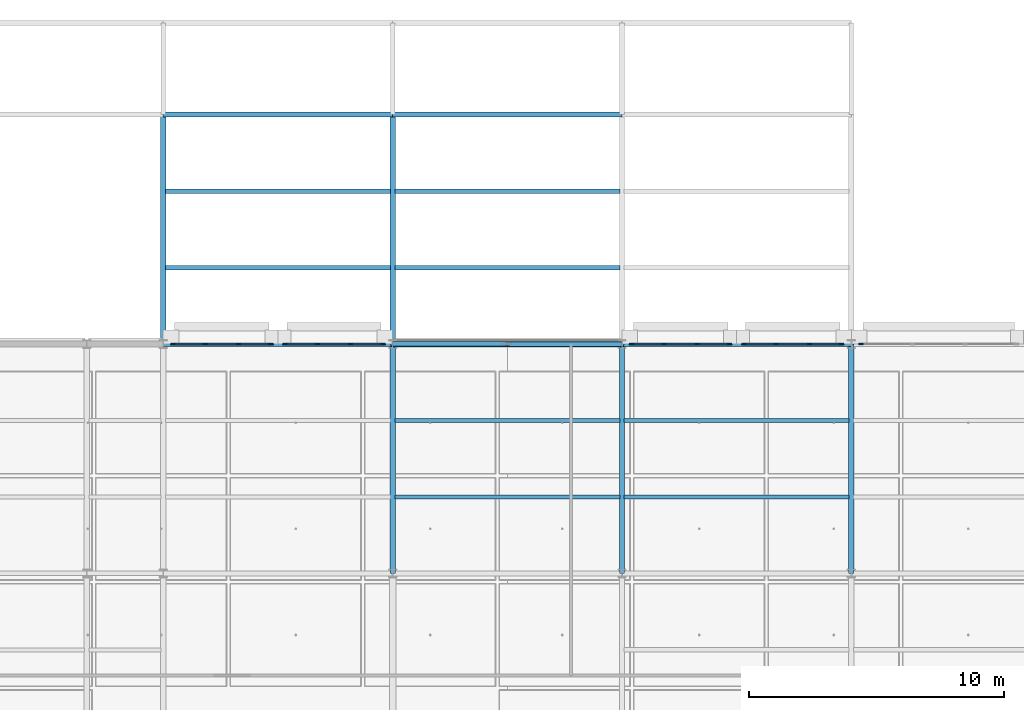
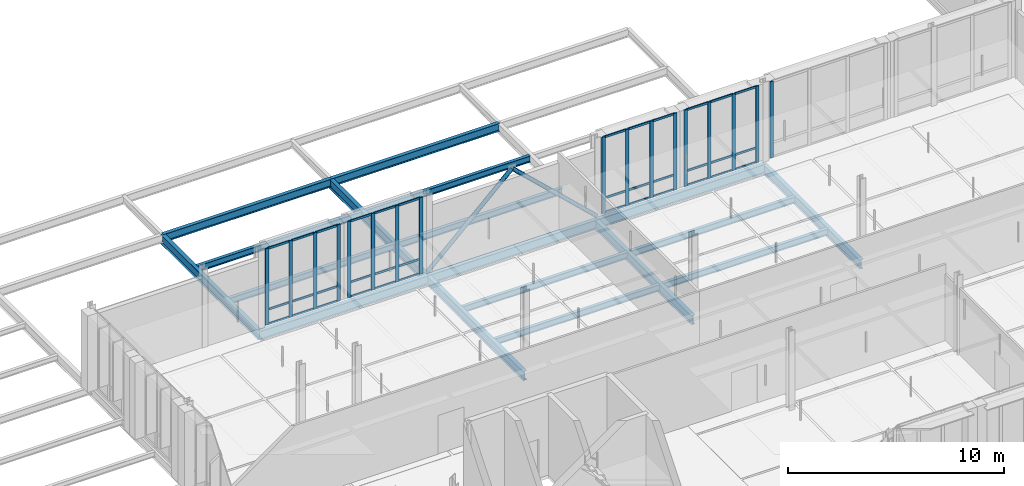
# One storey, part 56 of 140: 55 members, 18 beams, 5 elements without a shape of their own.
"""IFC4 building model written with IfcOpenShell, lengths in metres."""

from ifc_helpers import new_model, si_unit, direction, frame, origin, origin_2d, place, context, subcontext, project, spatial, rectangle, hollow_circle, i_section, extrude, material, material_profile, profile_set, type_object, element, aggregate, save


model = new_model("IFC4")

# Units and contexts
model_context = context("Model", 3, precision=1e-05, world=origin(), true_north=direction((0.0, 1.0)))
body_context = subcontext(model_context, "Body", "Model", "MODEL_VIEW")
ifc_project = project(units=[si_unit("LENGTHUNIT", "METRE"), si_unit("AREAUNIT", "SQUARE_METRE"), si_unit("VOLUMEUNIT", "CUBIC_METRE"), si_unit("PLANEANGLEUNIT", "RADIAN"), si_unit("MASSUNIT", "GRAM", prefix="KILO"), si_unit("THERMODYNAMICTEMPERATUREUNIT", "KELVIN"), si_unit("POWERUNIT", "WATT")], contexts=[model_context])

# Site, building, storey
site_placement = place(None, origin())
site = spatial("IfcSite", under=ifc_project, at=site_placement, CompositionType="ELEMENT")
building_placement = place(site_placement, origin())
building = spatial("IfcBuilding", under=site, at=building_placement, Name="Tallowbark Science Centre", CompositionType="ELEMENT")
storey_placement = place(building_placement, frame((0.0, 0.0, 9.89990234375)))
storey = spatial("IfcBuildingStorey", under=building, at=storey_placement, Name="L02", CompositionType="ELEMENT", Elevation=9.89990234375)

# Beams
ifc_material_1 = material(Name="Structural Steel Grade 300PLUS (300 MPa)", Category="steel")
ifc_material_profile_1 = material_profile(ifc_material_1, i_section(OverallWidth=0.208984375, OverallDepth=0.532958984375, WebThickness=0.01025390625, FlangeThickness=0.015625, FilletRadius=0.013916015625, at=origin_2d()), Name="530UB92.4")
ifc_profile_set_1 = profile_set([ifc_material_profile_1], Name="Structural Steel Grade 300PLUS (300 MPa)")
beam_type_1 = type_object("IfcBeamType", Name="BM-UB530A", PredefinedType="BEAM", material=ifc_profile_set_1)
for number, where, z_axis, x_axis, name in (
    (1, (72.0, 99.0, -0.4462890625), (1.0, 0.0, 0.0), (0.0, 1.0, 0.0), "Primary Girder GRDX-L02-720-810-990"),
    (2, (81.0, 99.0, -0.4462890625), (1.0, 0.0, 0.0), (0.0, 1.0, 0.0), "Primary Girder GRDX-L02-810-900-990"),
    (3, (90.0, 99.0, -0.4462890625), (1.0, 0.0, 0.0), (0.0, 1.0, 0.0), "Primary Girder GRDX-L02-900-990-990"),
):
    element("IfcBeam", number, at=place(storey_placement, frame(where, z_axis=z_axis, x_axis=x_axis)), inside=storey, type_object=beam_type_1, Name=name, PredefinedType="BEAM", context=body_context, shape_type="SweptSolid", body=[
        extrude(i_section(OverallWidth=0.208984375, OverallDepth=0.532958984375, WebThickness=0.01025390625, FlangeThickness=0.015625, FilletRadius=0.013916015625, at=origin_2d()), origin(), (0.0, 0.0, 1.0), 9.0),
    ])
ifc_material_profile_2 = material_profile(ifc_material_1, i_section(OverallWidth=0.208740234375, OverallDepth=0.5283203125, WebThickness=0.009521484375, FlangeThickness=0.01318359375, FilletRadius=0.013916015625, at=origin_2d()), Name="530UB82.0")
ifc_profile_set_2 = profile_set([ifc_material_profile_2], Name="Structural Steel Grade 300PLUS (300 MPa)")
beam_type_2 = type_object("IfcBeamType", Name="BM-UB530B", PredefinedType="BEAM", material=ifc_profile_set_2)
for number, where, z_axis, x_axis, name in (
    (4, (72.0, 99.0, -0.444091796875), (0.0, 1.0, 0.0), (-1.0, 0.0, 0.0), "Primary Girder GRDY-L02-720-990-1080"),
    (5, (81.0, 90.0, -0.444091796875), (0.0, 1.0, 0.0), (-1.0, 0.0, 0.0), "Primary Girder GRDY-L02-810-900-990"),
    (6, (81.0, 99.0, -0.444091796875), (0.0, 1.0, 0.0), (-1.0, 0.0, 0.0), "Primary Girder GRDY-L02-810-990-1080"),
    (7, (90.0, 90.0, -0.444091796875), (0.0, 1.0, 0.0), (-1.0, 0.0, 0.0), "Primary Girder GRDY-L02-900-900-990"),
    (8, (99.0, 90.0, -0.444091796875), (0.0, 1.0, 0.0), (-1.0, 0.0, 0.0), "Primary Girder GRDY-L02-990-900-990"),
):
    element("IfcBeam", number, at=place(storey_placement, frame(where, z_axis=z_axis, x_axis=x_axis)), inside=storey, type_object=beam_type_2, Name=name, PredefinedType="BEAM", context=body_context, shape_type="SweptSolid", body=[
        extrude(i_section(OverallWidth=0.208740234375, OverallDepth=0.5283203125, WebThickness=0.009521484375, FlangeThickness=0.01318359375, FilletRadius=0.013916015625, at=origin_2d()), origin(), (0.0, 0.0, 1.0), 9.0),
    ])

# Members
ifc_material_2 = material(Name="Structural Steel Grade C350L0 (350 MPa)", Category="steel")
ifc_material_profile_3 = material_profile(ifc_material_2, hollow_circle(Radius=0.109619140625, WallThickness=0.00830078125, at=origin_2d()), Name="219.1x8.2CHS")
ifc_profile_set_3 = profile_set([ifc_material_profile_3], Name="Structural Steel Grade C350L0 (350 MPa)")
member_type_1 = type_object("IfcMemberType", Name="CBF-219CHS", PredefinedType="BRACE", material=ifc_profile_set_3)
for number, where, z_axis, x_axis, name in (
    (9, (81.0, 99.0, 0.0), (0.72701315255, 0.0, 0.686623532964), (0.0, 1.0, 0.0), "Concentric Chevron Brace CBF-LAB-N1 L02 Left"),
    (10, (90.0, 99.0, 0.0), (-0.72701315255, 0.0, 0.686623532964), (0.0, -1.0, 0.0), "Concentric Chevron Brace CBF-LAB-N1 L02 Right"),
):
    element("IfcMember", number, at=place(storey_placement, frame(where, z_axis=z_axis, x_axis=x_axis)), inside=storey, type_object=member_type_1, Name=name, PredefinedType="BRACE", context=body_context, shape_type="SweptSolid", body=[
        extrude(hollow_circle(Radius=0.109619140625, WallThickness=0.00830078125, at=origin_2d()), origin(), (0.0, 0.0, 1.0), 6.189697265625),
    ])

# Curtain wall, members
ifc_material_3 = material(Name="Unitised Thermally Broken Aluminium and Low-E Double Glazing", Category="aluminium")
curtain_wall_type = type_object("IfcCurtainWallType", Name="CW-SYS-FACADE", PredefinedType="NOTDEFINED", material=ifc_material_3)
curtain_wall_1_placement = place(storey_placement, origin())
curtain_wall_1 = element("IfcCurtainWall", 11, at=curtain_wall_1_placement, inside=storey, type_object=curtain_wall_type, Name="Unitised Curtain Wall LAB-N-72A CW-L02-070", PredefinedType="NOTDEFINED")
ifc_material_4 = material(Name="Anodised Architectural Aluminium Alloy 6063-T6", Category="aluminium")
ifc_material_profile_4 = material_profile(ifc_material_4, rectangle(XDim=0.06494140625, YDim=0.179931640625, at=origin_2d()), Name="ALU65x180")
ifc_profile_set_4 = profile_set([ifc_material_profile_4], Name="Anodised Architectural Aluminium Alloy 6063-T6")
member_type_2 = type_object("IfcMemberType", Name="CWM-MUL-220", PredefinedType="MULLION", material=ifc_profile_set_4)
member_1_placement = place(storey_placement, frame((80.617431640625, 99.0, 0.0), z_axis=(0.0, 0.0, 1.0), x_axis=(0.0, -1.0, 0.0)))
member_1 = element("IfcMember", 12, at=member_1_placement, type_object=member_type_2, Name="CW-01 mullion 1", PredefinedType="MULLION", context=body_context, shape_type="SweptSolid", body=[
    extrude(rectangle(XDim=0.06494140625, YDim=0.179931640625, at=origin_2d()), origin(), (0.0, 0.0, 1.0), 4.320068359375),
])
member_2_placement = place(storey_placement, frame((79.35009765625, 99.0, 0.0), z_axis=(0.0, 0.0, 1.0), x_axis=(0.0, -1.0, 0.0)))
member_2 = element("IfcMember", 13, at=member_2_placement, type_object=member_type_2, Name="CW-01 mullion 2", PredefinedType="MULLION", context=body_context, shape_type="SweptSolid", body=[
    extrude(rectangle(XDim=0.06494140625, YDim=0.179931640625, at=origin_2d()), origin(), (0.0, 0.0, 1.0), 4.320068359375),
])
member_3_placement = place(storey_placement, frame((78.050048828125, 99.0, 0.0), z_axis=(0.0, 0.0, 1.0), x_axis=(0.0, -1.0, 0.0)))
member_3 = element("IfcMember", 14, at=member_3_placement, type_object=member_type_2, Name="CW-01 mullion 3", PredefinedType="MULLION", context=body_context, shape_type="SweptSolid", body=[
    extrude(rectangle(XDim=0.06494140625, YDim=0.179931640625, at=origin_2d()), origin(), (0.0, 0.0, 1.0), 4.320068359375),
])
member_4_placement = place(storey_placement, frame((76.782470703125, 99.0, 0.0), z_axis=(0.0, 0.0, 1.0), x_axis=(0.0, -1.0, 0.0)))
member_4 = element("IfcMember", 15, at=member_4_placement, type_object=member_type_2, Name="CW-01 mullion 4", PredefinedType="MULLION", context=body_context, shape_type="SweptSolid", body=[
    extrude(rectangle(XDim=0.06494140625, YDim=0.179931640625, at=origin_2d()), origin(), (0.0, 0.0, 1.0), 4.320068359375),
])

curtain_wall_2_placement = place(storey_placement, origin())
curtain_wall_2 = element("IfcCurtainWall", 16, at=curtain_wall_2_placement, inside=storey, type_object=curtain_wall_type, Name="Unitised Curtain Wall LAB-N-72B CW-L02-071", PredefinedType="NOTDEFINED")
member_5_placement = place(storey_placement, frame((76.217529296875, 99.0, 0.0), z_axis=(0.0, 0.0, 1.0), x_axis=(0.0, -1.0, 0.0)))
member_5 = element("IfcMember", 17, at=member_5_placement, type_object=member_type_2, Name="CW-01 mullion 1", PredefinedType="MULLION", context=body_context, shape_type="SweptSolid", body=[
    extrude(rectangle(XDim=0.06494140625, YDim=0.179931640625, at=origin_2d()), origin(), (0.0, 0.0, 1.0), 4.320068359375),
])
member_6_placement = place(storey_placement, frame((74.949951171875, 99.0, 0.0), z_axis=(0.0, 0.0, 1.0), x_axis=(0.0, -1.0, 0.0)))
member_6 = element("IfcMember", 18, at=member_6_placement, type_object=member_type_2, Name="CW-01 mullion 2", PredefinedType="MULLION", context=body_context, shape_type="SweptSolid", body=[
    extrude(rectangle(XDim=0.06494140625, YDim=0.179931640625, at=origin_2d()), origin(), (0.0, 0.0, 1.0), 4.320068359375),
])
member_7_placement = place(storey_placement, frame((73.64990234375, 99.0, 0.0), z_axis=(0.0, 0.0, 1.0), x_axis=(0.0, -1.0, 0.0)))
member_7 = element("IfcMember", 19, at=member_7_placement, type_object=member_type_2, Name="CW-01 mullion 3", PredefinedType="MULLION", context=body_context, shape_type="SweptSolid", body=[
    extrude(rectangle(XDim=0.06494140625, YDim=0.179931640625, at=origin_2d()), origin(), (0.0, 0.0, 1.0), 4.320068359375),
])
member_8_placement = place(storey_placement, frame((72.382568359375, 99.0, 0.0), z_axis=(0.0, 0.0, 1.0), x_axis=(0.0, -1.0, 0.0)))
member_8 = element("IfcMember", 20, at=member_8_placement, type_object=member_type_2, Name="CW-01 mullion 4", PredefinedType="MULLION", context=body_context, shape_type="SweptSolid", body=[
    extrude(rectangle(XDim=0.06494140625, YDim=0.179931640625, at=origin_2d()), origin(), (0.0, 0.0, 1.0), 4.320068359375),
])

curtain_wall_3_placement = place(storey_placement, origin())
curtain_wall_3 = element("IfcCurtainWall", 21, at=curtain_wall_3_placement, inside=storey, type_object=curtain_wall_type, Name="Unitised Curtain Wall LAB-N-90A CW-L02-072", PredefinedType="NOTDEFINED")
member_9_placement = place(storey_placement, frame((98.617431640625, 99.0, 0.0), z_axis=(0.0, 0.0, 1.0), x_axis=(0.0, -1.0, 0.0)))
member_9 = element("IfcMember", 22, at=member_9_placement, type_object=member_type_2, Name="CW-01 mullion 1", PredefinedType="MULLION", context=body_context, shape_type="SweptSolid", body=[
    extrude(rectangle(XDim=0.06494140625, YDim=0.179931640625, at=origin_2d()), origin(), (0.0, 0.0, 1.0), 4.320068359375),
])
member_10_placement = place(storey_placement, frame((97.35009765625, 99.0, 0.0), z_axis=(0.0, 0.0, 1.0), x_axis=(0.0, -1.0, 0.0)))
member_10 = element("IfcMember", 23, at=member_10_placement, type_object=member_type_2, Name="CW-01 mullion 2", PredefinedType="MULLION", context=body_context, shape_type="SweptSolid", body=[
    extrude(rectangle(XDim=0.06494140625, YDim=0.179931640625, at=origin_2d()), origin(), (0.0, 0.0, 1.0), 4.320068359375),
])
member_11_placement = place(storey_placement, frame((96.050048828125, 99.0, 0.0), z_axis=(0.0, 0.0, 1.0), x_axis=(0.0, -1.0, 0.0)))
member_11 = element("IfcMember", 24, at=member_11_placement, type_object=member_type_2, Name="CW-01 mullion 3", PredefinedType="MULLION", context=body_context, shape_type="SweptSolid", body=[
    extrude(rectangle(XDim=0.06494140625, YDim=0.179931640625, at=origin_2d()), origin(), (0.0, 0.0, 1.0), 4.320068359375),
])
member_12_placement = place(storey_placement, frame((94.782470703125, 99.0, 0.0), z_axis=(0.0, 0.0, 1.0), x_axis=(0.0, -1.0, 0.0)))
member_12 = element("IfcMember", 25, at=member_12_placement, type_object=member_type_2, Name="CW-01 mullion 4", PredefinedType="MULLION", context=body_context, shape_type="SweptSolid", body=[
    extrude(rectangle(XDim=0.06494140625, YDim=0.179931640625, at=origin_2d()), origin(), (0.0, 0.0, 1.0), 4.320068359375),
])

curtain_wall_4_placement = place(storey_placement, origin())
curtain_wall_4 = element("IfcCurtainWall", 26, at=curtain_wall_4_placement, inside=storey, type_object=curtain_wall_type, Name="Unitised Curtain Wall LAB-N-90B CW-L02-073", PredefinedType="NOTDEFINED")
member_13_placement = place(storey_placement, frame((94.217529296875, 99.0, 0.0), z_axis=(0.0, 0.0, 1.0), x_axis=(0.0, -1.0, 0.0)))
member_13 = element("IfcMember", 27, at=member_13_placement, type_object=member_type_2, Name="CW-01 mullion 1", PredefinedType="MULLION", context=body_context, shape_type="SweptSolid", body=[
    extrude(rectangle(XDim=0.06494140625, YDim=0.179931640625, at=origin_2d()), origin(), (0.0, 0.0, 1.0), 4.320068359375),
])
member_14_placement = place(storey_placement, frame((92.949951171875, 99.0, 0.0), z_axis=(0.0, 0.0, 1.0), x_axis=(0.0, -1.0, 0.0)))
member_14 = element("IfcMember", 28, at=member_14_placement, type_object=member_type_2, Name="CW-01 mullion 2", PredefinedType="MULLION", context=body_context, shape_type="SweptSolid", body=[
    extrude(rectangle(XDim=0.06494140625, YDim=0.179931640625, at=origin_2d()), origin(), (0.0, 0.0, 1.0), 4.320068359375),
])
member_15_placement = place(storey_placement, frame((91.64990234375, 99.0, 0.0), z_axis=(0.0, 0.0, 1.0), x_axis=(0.0, -1.0, 0.0)))
member_15 = element("IfcMember", 29, at=member_15_placement, type_object=member_type_2, Name="CW-01 mullion 3", PredefinedType="MULLION", context=body_context, shape_type="SweptSolid", body=[
    extrude(rectangle(XDim=0.06494140625, YDim=0.179931640625, at=origin_2d()), origin(), (0.0, 0.0, 1.0), 4.320068359375),
])
member_16_placement = place(storey_placement, frame((90.382568359375, 99.0, 0.0), z_axis=(0.0, 0.0, 1.0), x_axis=(0.0, -1.0, 0.0)))
member_16 = element("IfcMember", 30, at=member_16_placement, type_object=member_type_2, Name="CW-01 mullion 4", PredefinedType="MULLION", context=body_context, shape_type="SweptSolid", body=[
    extrude(rectangle(XDim=0.06494140625, YDim=0.179931640625, at=origin_2d()), origin(), (0.0, 0.0, 1.0), 4.320068359375),
])

# Curtain wall, member
curtain_wall_5_placement = place(storey_placement, origin())
curtain_wall_5 = element("IfcCurtainWall", 31, at=curtain_wall_5_placement, inside=storey, type_object=curtain_wall_type, Name="Unitised Curtain Wall LAB-N-99B CW-L02-075", PredefinedType="NOTDEFINED")
member_17_placement = place(storey_placement, frame((99.382568359375, 99.0, 0.0), z_axis=(0.0, 0.0, 1.0), x_axis=(0.0, -1.0, 0.0)))
member_17 = element("IfcMember", 32, at=member_17_placement, type_object=member_type_2, Name="CW-01 mullion 4", PredefinedType="MULLION", context=body_context, shape_type="SweptSolid", body=[
    extrude(rectangle(XDim=0.06494140625, YDim=0.179931640625, at=origin_2d()), origin(), (0.0, 0.0, 1.0), 4.320068359375),
])
aggregate(curtain_wall_5, [member_17])

# Member
ifc_material_profile_5 = material_profile(ifc_material_4, rectangle(XDim=0.054931640625, YDim=0.1201171875, at=origin_2d()), Name="ALU55x120")
ifc_profile_set_5 = profile_set([ifc_material_profile_5], Name="Anodised Architectural Aluminium Alloy 6063-T6")
member_type_3 = type_object("IfcMemberType", Name="CWM-TRN-150", PredefinedType="USERDEFINED", material=ifc_profile_set_5)
member_18_placement = place(storey_placement, frame((80.5849609375, 99.0, 0.027587890625), z_axis=(-1.0, 0.0, 0.0), x_axis=(0.0, -1.0, 0.0)))
member_18 = element("IfcMember", 33, at=member_18_placement, type_object=member_type_3, Name="CW-01 transom 1.1", ObjectType="TRANSOM", PredefinedType="USERDEFINED", context=body_context, shape_type="SweptSolid", body=[
    extrude(rectangle(XDim=0.054931640625, YDim=0.1201171875, at=origin_2d()), origin(), (0.0, 0.0, 1.0), 1.202392578125),
])

member_19_placement = place(storey_placement, frame((80.5849609375, 99.0, 0.85009765625), z_axis=(-1.0, 0.0, 0.0), x_axis=(0.0, -1.0, 0.0)))
member_19 = element("IfcMember", 34, at=member_19_placement, type_object=member_type_3, Name="CW-01 transom 1.2", ObjectType="TRANSOM", PredefinedType="USERDEFINED", context=body_context, shape_type="SweptSolid", body=[
    extrude(rectangle(XDim=0.054931640625, YDim=0.1201171875, at=origin_2d()), origin(), (0.0, 0.0, 1.0), 1.202392578125),
])

member_20_placement = place(storey_placement, frame((80.5849609375, 99.0, 4.29248046875), z_axis=(-1.0, 0.0, 0.0), x_axis=(0.0, -1.0, 0.0)))
member_20 = element("IfcMember", 35, at=member_20_placement, type_object=member_type_3, Name="CW-01 transom 1.3", ObjectType="TRANSOM", PredefinedType="USERDEFINED", context=body_context, shape_type="SweptSolid", body=[
    extrude(rectangle(XDim=0.054931640625, YDim=0.1201171875, at=origin_2d()), origin(), (0.0, 0.0, 1.0), 1.202392578125),
])

member_21_placement = place(storey_placement, frame((79.3173828125, 99.0, 0.027587890625), z_axis=(-1.0, 0.0, 0.0), x_axis=(0.0, -1.0, 0.0)))
member_21 = element("IfcMember", 36, at=member_21_placement, type_object=member_type_3, Name="CW-01 transom 2.1", ObjectType="TRANSOM", PredefinedType="USERDEFINED", context=body_context, shape_type="SweptSolid", body=[
    extrude(rectangle(XDim=0.054931640625, YDim=0.1201171875, at=origin_2d()), origin(), (0.0, 0.0, 1.0), 1.23486328125),
])

member_22_placement = place(storey_placement, frame((79.3173828125, 99.0, 0.85009765625), z_axis=(-1.0, 0.0, 0.0), x_axis=(0.0, -1.0, 0.0)))
member_22 = element("IfcMember", 37, at=member_22_placement, type_object=member_type_3, Name="CW-01 transom 2.2", ObjectType="TRANSOM", PredefinedType="USERDEFINED", context=body_context, shape_type="SweptSolid", body=[
    extrude(rectangle(XDim=0.054931640625, YDim=0.1201171875, at=origin_2d()), origin(), (0.0, 0.0, 1.0), 1.23486328125),
])

member_23_placement = place(storey_placement, frame((79.3173828125, 99.0, 4.29248046875), z_axis=(-1.0, 0.0, 0.0), x_axis=(0.0, -1.0, 0.0)))
member_23 = element("IfcMember", 38, at=member_23_placement, type_object=member_type_3, Name="CW-01 transom 2.3", ObjectType="TRANSOM", PredefinedType="USERDEFINED", context=body_context, shape_type="SweptSolid", body=[
    extrude(rectangle(XDim=0.054931640625, YDim=0.1201171875, at=origin_2d()), origin(), (0.0, 0.0, 1.0), 1.23486328125),
])

member_24_placement = place(storey_placement, frame((78.017578125, 99.0, 0.027587890625), z_axis=(-1.0, 0.0, 0.0), x_axis=(0.0, -1.0, 0.0)))
member_24 = element("IfcMember", 39, at=member_24_placement, type_object=member_type_3, Name="CW-01 transom 3.1", ObjectType="TRANSOM", PredefinedType="USERDEFINED", context=body_context, shape_type="SweptSolid", body=[
    extrude(rectangle(XDim=0.054931640625, YDim=0.1201171875, at=origin_2d()), origin(), (0.0, 0.0, 1.0), 1.20263671875),
])

member_25_placement = place(storey_placement, frame((78.017578125, 99.0, 0.85009765625), z_axis=(-1.0, 0.0, 0.0), x_axis=(0.0, -1.0, 0.0)))
member_25 = element("IfcMember", 40, at=member_25_placement, type_object=member_type_3, Name="CW-01 transom 3.2", ObjectType="TRANSOM", PredefinedType="USERDEFINED", context=body_context, shape_type="SweptSolid", body=[
    extrude(rectangle(XDim=0.054931640625, YDim=0.1201171875, at=origin_2d()), origin(), (0.0, 0.0, 1.0), 1.20263671875),
])

member_26_placement = place(storey_placement, frame((78.017578125, 99.0, 4.29248046875), z_axis=(-1.0, 0.0, 0.0), x_axis=(0.0, -1.0, 0.0)))
member_26 = element("IfcMember", 41, at=member_26_placement, type_object=member_type_3, Name="CW-01 transom 3.3", ObjectType="TRANSOM", PredefinedType="USERDEFINED", context=body_context, shape_type="SweptSolid", body=[
    extrude(rectangle(XDim=0.054931640625, YDim=0.1201171875, at=origin_2d()), origin(), (0.0, 0.0, 1.0), 1.20263671875),
])

aggregate(curtain_wall_1, [member_1, member_2, member_3, member_4, member_18, member_19, member_20, member_21, member_22, member_23, member_24, member_25, member_26])

member_27_placement = place(storey_placement, frame((76.18505859375, 99.0, 0.027587890625), z_axis=(-1.0, 0.0, 0.0), x_axis=(0.0, -1.0, 0.0)))
member_27 = element("IfcMember", 42, at=member_27_placement, type_object=member_type_3, Name="CW-01 transom 1.1", ObjectType="TRANSOM", PredefinedType="USERDEFINED", context=body_context, shape_type="SweptSolid", body=[
    extrude(rectangle(XDim=0.054931640625, YDim=0.1201171875, at=origin_2d()), origin(), (0.0, 0.0, 1.0), 1.20263671875),
])

member_28_placement = place(storey_placement, frame((76.18505859375, 99.0, 0.85009765625), z_axis=(-1.0, 0.0, 0.0), x_axis=(0.0, -1.0, 0.0)))
member_28 = element("IfcMember", 43, at=member_28_placement, type_object=member_type_3, Name="CW-01 transom 1.2", ObjectType="TRANSOM", PredefinedType="USERDEFINED", context=body_context, shape_type="SweptSolid", body=[
    extrude(rectangle(XDim=0.054931640625, YDim=0.1201171875, at=origin_2d()), origin(), (0.0, 0.0, 1.0), 1.20263671875),
])

member_29_placement = place(storey_placement, frame((76.18505859375, 99.0, 4.29248046875), z_axis=(-1.0, 0.0, 0.0), x_axis=(0.0, -1.0, 0.0)))
member_29 = element("IfcMember", 44, at=member_29_placement, type_object=member_type_3, Name="CW-01 transom 1.3", ObjectType="TRANSOM", PredefinedType="USERDEFINED", context=body_context, shape_type="SweptSolid", body=[
    extrude(rectangle(XDim=0.054931640625, YDim=0.1201171875, at=origin_2d()), origin(), (0.0, 0.0, 1.0), 1.20263671875),
])

member_30_placement = place(storey_placement, frame((74.91748046875, 99.0, 0.027587890625), z_axis=(-1.0, 0.0, 0.0), x_axis=(0.0, -1.0, 0.0)))
member_30 = element("IfcMember", 45, at=member_30_placement, type_object=member_type_3, Name="CW-01 transom 2.1", ObjectType="TRANSOM", PredefinedType="USERDEFINED", context=body_context, shape_type="SweptSolid", body=[
    extrude(rectangle(XDim=0.054931640625, YDim=0.1201171875, at=origin_2d()), origin(), (0.0, 0.0, 1.0), 1.23486328125),
])

member_31_placement = place(storey_placement, frame((74.91748046875, 99.0, 0.85009765625), z_axis=(-1.0, 0.0, 0.0), x_axis=(0.0, -1.0, 0.0)))
member_31 = element("IfcMember", 46, at=member_31_placement, type_object=member_type_3, Name="CW-01 transom 2.2", ObjectType="TRANSOM", PredefinedType="USERDEFINED", context=body_context, shape_type="SweptSolid", body=[
    extrude(rectangle(XDim=0.054931640625, YDim=0.1201171875, at=origin_2d()), origin(), (0.0, 0.0, 1.0), 1.23486328125),
])

member_32_placement = place(storey_placement, frame((74.91748046875, 99.0, 4.29248046875), z_axis=(-1.0, 0.0, 0.0), x_axis=(0.0, -1.0, 0.0)))
member_32 = element("IfcMember", 47, at=member_32_placement, type_object=member_type_3, Name="CW-01 transom 2.3", ObjectType="TRANSOM", PredefinedType="USERDEFINED", context=body_context, shape_type="SweptSolid", body=[
    extrude(rectangle(XDim=0.054931640625, YDim=0.1201171875, at=origin_2d()), origin(), (0.0, 0.0, 1.0), 1.23486328125),
])

member_33_placement = place(storey_placement, frame((73.617431640625, 99.0, 0.027587890625), z_axis=(-1.0, 0.0, 0.0), x_axis=(0.0, -1.0, 0.0)))
member_33 = element("IfcMember", 48, at=member_33_placement, type_object=member_type_3, Name="CW-01 transom 3.1", ObjectType="TRANSOM", PredefinedType="USERDEFINED", context=body_context, shape_type="SweptSolid", body=[
    extrude(rectangle(XDim=0.054931640625, YDim=0.1201171875, at=origin_2d()), origin(), (0.0, 0.0, 1.0), 1.202392578125),
])

member_34_placement = place(storey_placement, frame((73.617431640625, 99.0, 0.85009765625), z_axis=(-1.0, 0.0, 0.0), x_axis=(0.0, -1.0, 0.0)))
member_34 = element("IfcMember", 49, at=member_34_placement, type_object=member_type_3, Name="CW-01 transom 3.2", ObjectType="TRANSOM", PredefinedType="USERDEFINED", context=body_context, shape_type="SweptSolid", body=[
    extrude(rectangle(XDim=0.054931640625, YDim=0.1201171875, at=origin_2d()), origin(), (0.0, 0.0, 1.0), 1.202392578125),
])

member_35_placement = place(storey_placement, frame((73.617431640625, 99.0, 4.29248046875), z_axis=(-1.0, 0.0, 0.0), x_axis=(0.0, -1.0, 0.0)))
member_35 = element("IfcMember", 50, at=member_35_placement, type_object=member_type_3, Name="CW-01 transom 3.3", ObjectType="TRANSOM", PredefinedType="USERDEFINED", context=body_context, shape_type="SweptSolid", body=[
    extrude(rectangle(XDim=0.054931640625, YDim=0.1201171875, at=origin_2d()), origin(), (0.0, 0.0, 1.0), 1.202392578125),
])

aggregate(curtain_wall_2, [member_5, member_6, member_7, member_8, member_27, member_28, member_29, member_30, member_31, member_32, member_33, member_34, member_35])

member_36_placement = place(storey_placement, frame((98.5849609375, 99.0, 0.027587890625), z_axis=(-1.0, 0.0, 0.0), x_axis=(0.0, -1.0, 0.0)))
member_36 = element("IfcMember", 51, at=member_36_placement, type_object=member_type_3, Name="CW-01 transom 1.1", ObjectType="TRANSOM", PredefinedType="USERDEFINED", context=body_context, shape_type="SweptSolid", body=[
    extrude(rectangle(XDim=0.054931640625, YDim=0.1201171875, at=origin_2d()), origin(), (0.0, 0.0, 1.0), 1.202392578125),
])

member_37_placement = place(storey_placement, frame((98.5849609375, 99.0, 0.85009765625), z_axis=(-1.0, 0.0, 0.0), x_axis=(0.0, -1.0, 0.0)))
member_37 = element("IfcMember", 52, at=member_37_placement, type_object=member_type_3, Name="CW-01 transom 1.2", ObjectType="TRANSOM", PredefinedType="USERDEFINED", context=body_context, shape_type="SweptSolid", body=[
    extrude(rectangle(XDim=0.054931640625, YDim=0.1201171875, at=origin_2d()), origin(), (0.0, 0.0, 1.0), 1.202392578125),
])

member_38_placement = place(storey_placement, frame((98.5849609375, 99.0, 4.29248046875), z_axis=(-1.0, 0.0, 0.0), x_axis=(0.0, -1.0, 0.0)))
member_38 = element("IfcMember", 53, at=member_38_placement, type_object=member_type_3, Name="CW-01 transom 1.3", ObjectType="TRANSOM", PredefinedType="USERDEFINED", context=body_context, shape_type="SweptSolid", body=[
    extrude(rectangle(XDim=0.054931640625, YDim=0.1201171875, at=origin_2d()), origin(), (0.0, 0.0, 1.0), 1.202392578125),
])

member_39_placement = place(storey_placement, frame((97.3173828125, 99.0, 0.027587890625), z_axis=(-1.0, 0.0, 0.0), x_axis=(0.0, -1.0, 0.0)))
member_39 = element("IfcMember", 54, at=member_39_placement, type_object=member_type_3, Name="CW-01 transom 2.1", ObjectType="TRANSOM", PredefinedType="USERDEFINED", context=body_context, shape_type="SweptSolid", body=[
    extrude(rectangle(XDim=0.054931640625, YDim=0.1201171875, at=origin_2d()), origin(), (0.0, 0.0, 1.0), 1.23486328125),
])

member_40_placement = place(storey_placement, frame((97.3173828125, 99.0, 0.85009765625), z_axis=(-1.0, 0.0, 0.0), x_axis=(0.0, -1.0, 0.0)))
member_40 = element("IfcMember", 55, at=member_40_placement, type_object=member_type_3, Name="CW-01 transom 2.2", ObjectType="TRANSOM", PredefinedType="USERDEFINED", context=body_context, shape_type="SweptSolid", body=[
    extrude(rectangle(XDim=0.054931640625, YDim=0.1201171875, at=origin_2d()), origin(), (0.0, 0.0, 1.0), 1.23486328125),
])

member_41_placement = place(storey_placement, frame((97.3173828125, 99.0, 4.29248046875), z_axis=(-1.0, 0.0, 0.0), x_axis=(0.0, -1.0, 0.0)))
member_41 = element("IfcMember", 56, at=member_41_placement, type_object=member_type_3, Name="CW-01 transom 2.3", ObjectType="TRANSOM", PredefinedType="USERDEFINED", context=body_context, shape_type="SweptSolid", body=[
    extrude(rectangle(XDim=0.054931640625, YDim=0.1201171875, at=origin_2d()), origin(), (0.0, 0.0, 1.0), 1.23486328125),
])

member_42_placement = place(storey_placement, frame((96.017578125, 99.0, 0.027587890625), z_axis=(-1.0, 0.0, 0.0), x_axis=(0.0, -1.0, 0.0)))
member_42 = element("IfcMember", 57, at=member_42_placement, type_object=member_type_3, Name="CW-01 transom 3.1", ObjectType="TRANSOM", PredefinedType="USERDEFINED", context=body_context, shape_type="SweptSolid", body=[
    extrude(rectangle(XDim=0.054931640625, YDim=0.1201171875, at=origin_2d()), origin(), (0.0, 0.0, 1.0), 1.20263671875),
])

member_43_placement = place(storey_placement, frame((96.017578125, 99.0, 0.85009765625), z_axis=(-1.0, 0.0, 0.0), x_axis=(0.0, -1.0, 0.0)))
member_43 = element("IfcMember", 58, at=member_43_placement, type_object=member_type_3, Name="CW-01 transom 3.2", ObjectType="TRANSOM", PredefinedType="USERDEFINED", context=body_context, shape_type="SweptSolid", body=[
    extrude(rectangle(XDim=0.054931640625, YDim=0.1201171875, at=origin_2d()), origin(), (0.0, 0.0, 1.0), 1.20263671875),
])

member_44_placement = place(storey_placement, frame((96.017578125, 99.0, 4.29248046875), z_axis=(-1.0, 0.0, 0.0), x_axis=(0.0, -1.0, 0.0)))
member_44 = element("IfcMember", 59, at=member_44_placement, type_object=member_type_3, Name="CW-01 transom 3.3", ObjectType="TRANSOM", PredefinedType="USERDEFINED", context=body_context, shape_type="SweptSolid", body=[
    extrude(rectangle(XDim=0.054931640625, YDim=0.1201171875, at=origin_2d()), origin(), (0.0, 0.0, 1.0), 1.20263671875),
])

aggregate(curtain_wall_3, [member_9, member_10, member_11, member_12, member_36, member_37, member_38, member_39, member_40, member_41, member_42, member_43, member_44])

member_45_placement = place(storey_placement, frame((94.18505859375, 99.0, 0.027587890625), z_axis=(-1.0, 0.0, 0.0), x_axis=(0.0, -1.0, 0.0)))
member_45 = element("IfcMember", 60, at=member_45_placement, type_object=member_type_3, Name="CW-01 transom 1.1", ObjectType="TRANSOM", PredefinedType="USERDEFINED", context=body_context, shape_type="SweptSolid", body=[
    extrude(rectangle(XDim=0.054931640625, YDim=0.1201171875, at=origin_2d()), origin(), (0.0, 0.0, 1.0), 1.20263671875),
])

member_46_placement = place(storey_placement, frame((94.18505859375, 99.0, 0.85009765625), z_axis=(-1.0, 0.0, 0.0), x_axis=(0.0, -1.0, 0.0)))
member_46 = element("IfcMember", 61, at=member_46_placement, type_object=member_type_3, Name="CW-01 transom 1.2", ObjectType="TRANSOM", PredefinedType="USERDEFINED", context=body_context, shape_type="SweptSolid", body=[
    extrude(rectangle(XDim=0.054931640625, YDim=0.1201171875, at=origin_2d()), origin(), (0.0, 0.0, 1.0), 1.20263671875),
])

member_47_placement = place(storey_placement, frame((94.18505859375, 99.0, 4.29248046875), z_axis=(-1.0, 0.0, 0.0), x_axis=(0.0, -1.0, 0.0)))
member_47 = element("IfcMember", 62, at=member_47_placement, type_object=member_type_3, Name="CW-01 transom 1.3", ObjectType="TRANSOM", PredefinedType="USERDEFINED", context=body_context, shape_type="SweptSolid", body=[
    extrude(rectangle(XDim=0.054931640625, YDim=0.1201171875, at=origin_2d()), origin(), (0.0, 0.0, 1.0), 1.20263671875),
])

member_48_placement = place(storey_placement, frame((92.91748046875, 99.0, 0.027587890625), z_axis=(-1.0, 0.0, 0.0), x_axis=(0.0, -1.0, 0.0)))
member_48 = element("IfcMember", 63, at=member_48_placement, type_object=member_type_3, Name="CW-01 transom 2.1", ObjectType="TRANSOM", PredefinedType="USERDEFINED", context=body_context, shape_type="SweptSolid", body=[
    extrude(rectangle(XDim=0.054931640625, YDim=0.1201171875, at=origin_2d()), origin(), (0.0, 0.0, 1.0), 1.23486328125),
])

member_49_placement = place(storey_placement, frame((92.91748046875, 99.0, 0.85009765625), z_axis=(-1.0, 0.0, 0.0), x_axis=(0.0, -1.0, 0.0)))
member_49 = element("IfcMember", 64, at=member_49_placement, type_object=member_type_3, Name="CW-01 transom 2.2", ObjectType="TRANSOM", PredefinedType="USERDEFINED", context=body_context, shape_type="SweptSolid", body=[
    extrude(rectangle(XDim=0.054931640625, YDim=0.1201171875, at=origin_2d()), origin(), (0.0, 0.0, 1.0), 1.23486328125),
])

member_50_placement = place(storey_placement, frame((92.91748046875, 99.0, 4.29248046875), z_axis=(-1.0, 0.0, 0.0), x_axis=(0.0, -1.0, 0.0)))
member_50 = element("IfcMember", 65, at=member_50_placement, type_object=member_type_3, Name="CW-01 transom 2.3", ObjectType="TRANSOM", PredefinedType="USERDEFINED", context=body_context, shape_type="SweptSolid", body=[
    extrude(rectangle(XDim=0.054931640625, YDim=0.1201171875, at=origin_2d()), origin(), (0.0, 0.0, 1.0), 1.23486328125),
])

member_51_placement = place(storey_placement, frame((91.617431640625, 99.0, 0.027587890625), z_axis=(-1.0, 0.0, 0.0), x_axis=(0.0, -1.0, 0.0)))
member_51 = element("IfcMember", 66, at=member_51_placement, type_object=member_type_3, Name="CW-01 transom 3.1", ObjectType="TRANSOM", PredefinedType="USERDEFINED", context=body_context, shape_type="SweptSolid", body=[
    extrude(rectangle(XDim=0.054931640625, YDim=0.1201171875, at=origin_2d()), origin(), (0.0, 0.0, 1.0), 1.202392578125),
])

member_52_placement = place(storey_placement, frame((91.617431640625, 99.0, 0.85009765625), z_axis=(-1.0, 0.0, 0.0), x_axis=(0.0, -1.0, 0.0)))
member_52 = element("IfcMember", 67, at=member_52_placement, type_object=member_type_3, Name="CW-01 transom 3.2", ObjectType="TRANSOM", PredefinedType="USERDEFINED", context=body_context, shape_type="SweptSolid", body=[
    extrude(rectangle(XDim=0.054931640625, YDim=0.1201171875, at=origin_2d()), origin(), (0.0, 0.0, 1.0), 1.202392578125),
])

member_53_placement = place(storey_placement, frame((91.617431640625, 99.0, 4.29248046875), z_axis=(-1.0, 0.0, 0.0), x_axis=(0.0, -1.0, 0.0)))
member_53 = element("IfcMember", 68, at=member_53_placement, type_object=member_type_3, Name="CW-01 transom 3.3", ObjectType="TRANSOM", PredefinedType="USERDEFINED", context=body_context, shape_type="SweptSolid", body=[
    extrude(rectangle(XDim=0.054931640625, YDim=0.1201171875, at=origin_2d()), origin(), (0.0, 0.0, 1.0), 1.202392578125),
])

aggregate(curtain_wall_4, [member_13, member_14, member_15, member_16, member_45, member_46, member_47, member_48, member_49, member_50, member_51, member_52, member_53])

# Beams
ifc_material_profile_6 = material_profile(ifc_material_1, i_section(OverallWidth=0.172119140625, OverallDepth=0.358642578125, WebThickness=0.008056640625, FlangeThickness=0.012939453125, FilletRadius=0.011474609375, at=origin_2d()), Name="360UB56.7")
ifc_profile_set_6 = profile_set([ifc_material_profile_6], Name="Structural Steel Grade 300PLUS (300 MPa)")
beam_type_3 = type_object("IfcBeamType", Name="JST-UB360", PredefinedType="JOIST", material=ifc_profile_set_6)
for number, where, z_axis, x_axis, name in (
    (69, (81.0849609375, 93.0, -0.359130859375), (1.0, 0.0, 0.0), (0.0, 1.0, 0.0), "Composite Floor Joist JSTX-L02-810-930"),
    (70, (81.0849609375, 96.0, -0.359130859375), (1.0, 0.0, 0.0), (0.0, 1.0, 0.0), "Composite Floor Joist JSTX-L02-810-960"),
    (71, (90.0849609375, 93.0, -0.359130859375), (1.0, 0.0, 0.0), (0.0, 1.0, 0.0), "Composite Floor Joist JSTX-L02-900-930"),
    (72, (90.0849609375, 96.0, -0.359130859375), (1.0, 0.0, 0.0), (0.0, 1.0, 0.0), "Composite Floor Joist JSTX-L02-900-960"),
    (73, (72.0849609375, 102.0, -0.359130859375), (1.0, 0.0, 0.0), (0.0, 1.0, 0.0), "Composite Floor Joist JSTX-L02-720-1020"),
    (74, (72.0849609375, 105.0, -0.359130859375), (1.0, 0.0, 0.0), (0.0, 1.0, 0.0), "Composite Floor Joist JSTX-L02-720-1050"),
    (75, (81.0849609375, 102.0, -0.359130859375), (1.0, 0.0, 0.0), (0.0, 1.0, 0.0), "Composite Floor Joist JSTX-L02-810-1020"),
    (76, (81.0849609375, 105.0, -0.359130859375), (1.0, 0.0, 0.0), (0.0, 1.0, 0.0), "Composite Floor Joist JSTX-L02-810-1050"),
):
    element("IfcBeam", number, at=place(storey_placement, frame(where, z_axis=z_axis, x_axis=x_axis)), inside=storey, type_object=beam_type_3, Name=name, PredefinedType="JOIST", context=body_context, shape_type="SweptSolid", body=[
        extrude(i_section(OverallWidth=0.172119140625, OverallDepth=0.358642578125, WebThickness=0.008056640625, FlangeThickness=0.012939453125, FilletRadius=0.011474609375, at=origin_2d()), origin(), (0.0, 0.0, 1.0), 8.830078125),
    ])
ifc_material_profile_7 = material_profile(ifc_material_1, i_section(OverallWidth=0.18994140625, OverallDepth=0.453857421875, WebThickness=0.008544921875, FlangeThickness=0.0126953125, FilletRadius=0.011474609375, at=origin_2d()), Name="460UB67.1")
ifc_profile_set_7 = profile_set([ifc_material_profile_7], Name="Structural Steel Grade 300PLUS (300 MPa)")
beam_type_4 = type_object("IfcBeamType", Name="SPN-UB460", PredefinedType="SPANDREL", material=ifc_profile_set_7)
for number, where, z_axis, x_axis, name in (
    (77, (72.0, 108.0, -0.40673828125), (1.0, 0.0, 0.0), (0.0, 1.0, 0.0), "Primary Girder GRDX-L02-720-810-1080"),
    (78, (81.0, 108.0, -0.40673828125), (1.0, 0.0, 0.0), (0.0, 1.0, 0.0), "Primary Girder GRDX-L02-810-900-1080"),
):
    element("IfcBeam", number, at=place(storey_placement, frame(where, z_axis=z_axis, x_axis=x_axis)), inside=storey, type_object=beam_type_4, Name=name, PredefinedType="SPANDREL", context=body_context, shape_type="SweptSolid", body=[
        extrude(i_section(OverallWidth=0.18994140625, OverallDepth=0.453857421875, WebThickness=0.008544921875, FlangeThickness=0.0126953125, FilletRadius=0.011474609375, at=origin_2d()), origin(), (0.0, 0.0, 1.0), 9.0),
    ])

save(model, "model.ifc")
